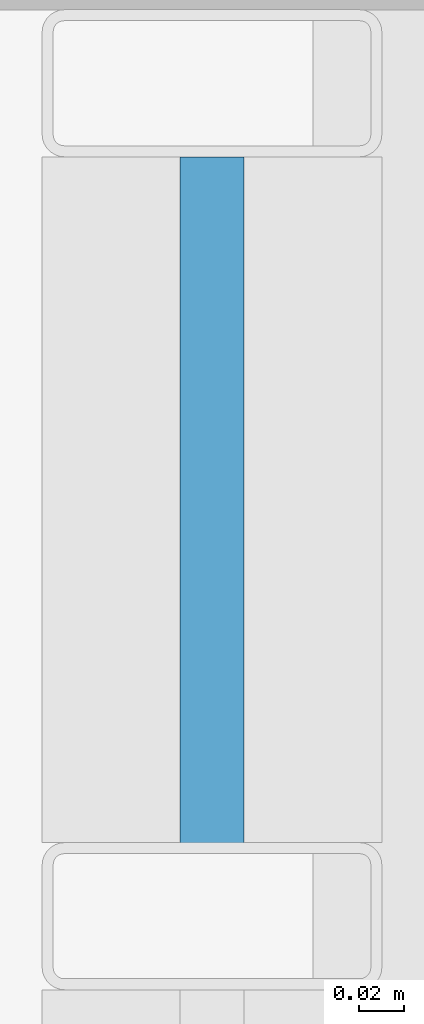
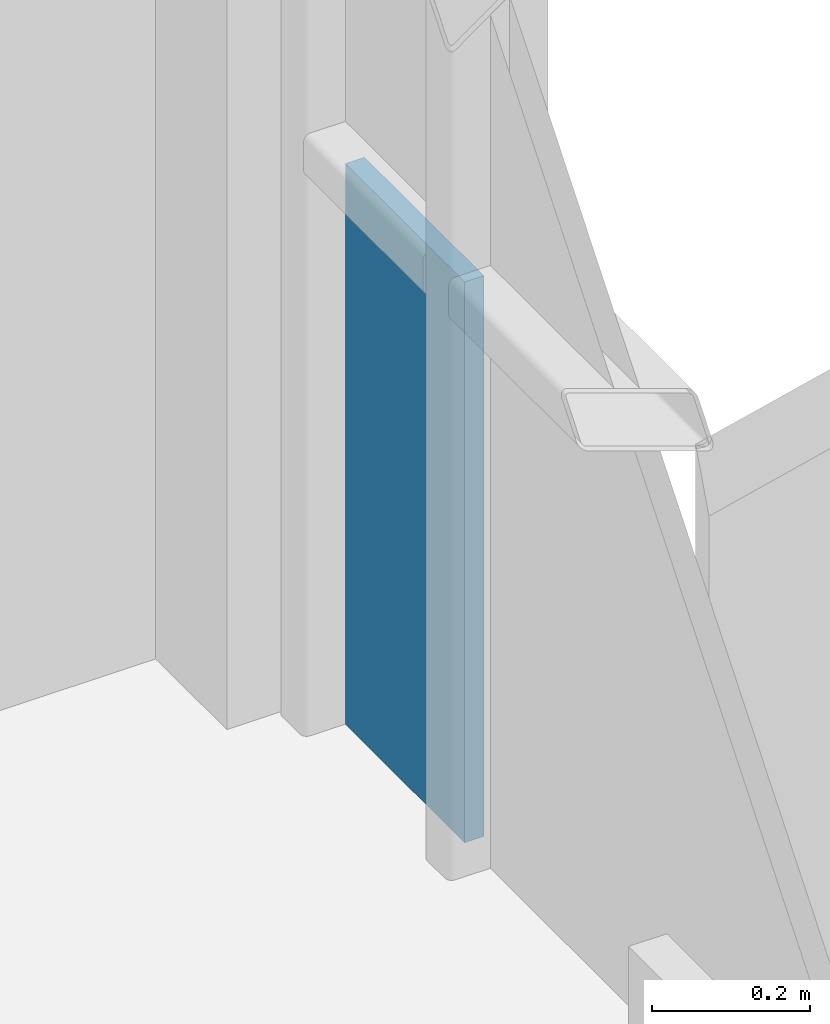
# One storey, part 26 of 38: 1 plate, 1 element without a shape of its own.
"""IFC4 building model written with IfcOpenShell, lengths in metres."""

from ifc_helpers import new_model, si_unit, direction, frame, origin, origin_2d, place, context, subcontext, project, spatial, rectangle, extrude, material, layer, layer_set, type_object, element, aggregate, save


model = new_model("IFC4")

# Units and contexts
model_context = context("Model", 3, precision=1e-05, world=origin(), true_north=direction((0.0, 1.0)))
body_context = subcontext(model_context, "Body", "Model", "MODEL_VIEW")
ifc_project = project(units=[si_unit("LENGTHUNIT", "METRE"), si_unit("AREAUNIT", "SQUARE_METRE"), si_unit("VOLUMEUNIT", "CUBIC_METRE"), si_unit("PLANEANGLEUNIT", "RADIAN"), si_unit("MASSUNIT", "GRAM", prefix="KILO")], contexts=[model_context])

# Site, building, storey
site_placement = place(None, origin())
site = spatial("IfcSite", under=ifc_project, at=site_placement, CompositionType="ELEMENT")
building_placement = place(site_placement, origin())
building = spatial("IfcBuilding", under=site, at=building_placement, Name="Brevholm Reach", CompositionType="ELEMENT")
storey_placement = place(building_placement, frame((0.0, 0.0, 71.39990234375)))
storey = spatial("IfcBuildingStorey", under=building, at=storey_placement, Name="L20", CompositionType="ELEMENT", Elevation=71.39990234375)

# Curtain wall, plate
ifc_material_1 = material(Name="Dark Anodised Aluminium 6063-T6 and Solar-Control Glass", Category="aluminium")
ifc_layer_1 = layer(ifc_material_1, 0.14990234375)
ifc_layer_set_1 = layer_set([ifc_layer_1], Name="Dark Anodised Aluminium 6063-T6 and Solar-Control Glass")
curtain_wall_type = type_object("IfcCurtainWallType", Name="CW-01", PredefinedType="NOTDEFINED", material=ifc_layer_set_1)
curtain_wall_placement = place(storey_placement, origin())
curtain_wall = element("IfcCurtainWall", 1, at=curtain_wall_placement, inside=storey, type_object=curtain_wall_type, Name="L20 Curtain Wall CW-01", PredefinedType="NOTDEFINED")
ifc_material_2 = material(Name="Dark Solar-Control Double-Glazed IGU Glass", Category="glass")
ifc_layer_2 = layer(ifc_material_2, 0.028076171875)
ifc_layer_set_2 = layer_set([ifc_layer_2], Name="Dark Solar-Control Double-Glazed IGU Glass")
plate_type = type_object("IfcPlateType", Name="CWP-GLZ-28", PredefinedType="CURTAIN_PANEL", material=ifc_layer_set_2)
plate_placement = place(storey_placement, frame((59.85009765625, 22.733642578125, 0.0), z_axis=(0.0, 0.0, 1.0), x_axis=(0.0, 1.0, 0.0)))
plate = element("IfcPlate", 2, at=plate_placement, type_object=plate_type, Name="CP-01 Glazing Panel 5.1", PredefinedType="CURTAIN_PANEL", context=body_context, shape_type="SweptSolid", body=[
    extrude(rectangle(XDim=0.302490234375, YDim=0.028076171875, at=origin_2d()), origin(), (0.0, 0.0, 1.0), 0.867431640625),
])
aggregate(curtain_wall, [plate])

save(model, "model.ifc")
